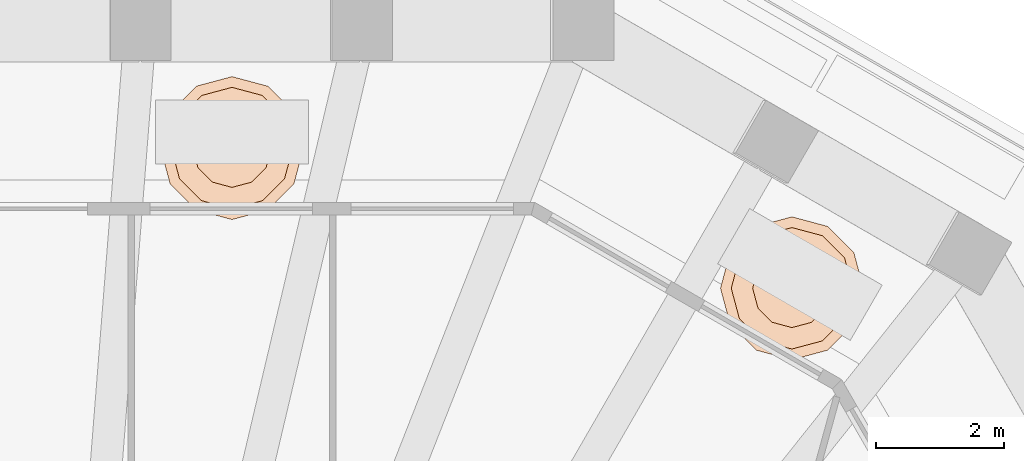
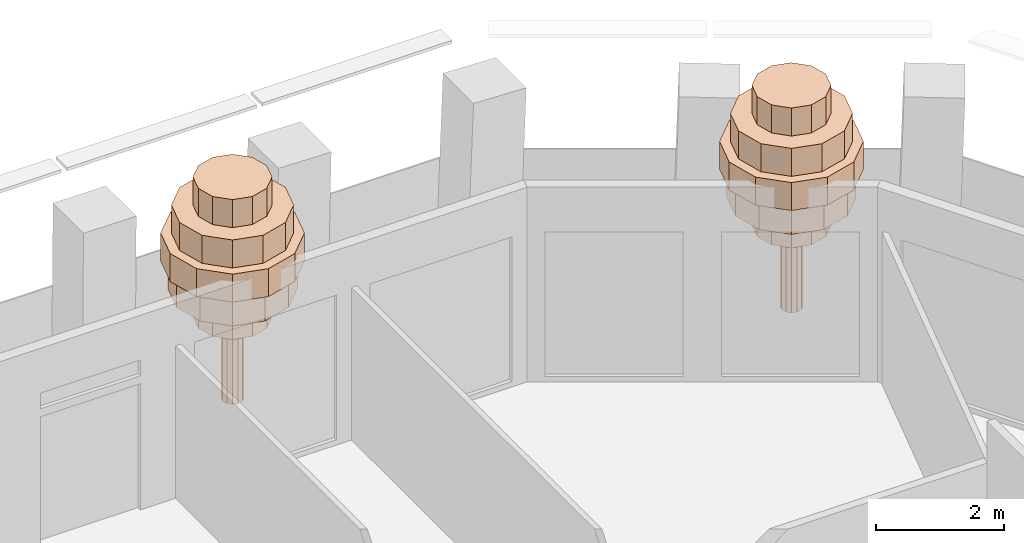
# One storey, part 13 of 13: 2 geographic elements.
"""IFC4 building model written with IfcOpenShell, lengths in metres."""

from ifc_helpers import new_model, si_unit, direction, frame, origin, place, context, subcontext, project, spatial, polyline, outline, extrude, material, type_object, element, save


model = new_model("IFC4")

# Units and contexts
model_context = context("Model", 3, precision=1e-05, world=origin(), true_north=direction((0.0, 1.0)))
body_context = subcontext(model_context, "Body", "Model", "MODEL_VIEW")
ifc_project = project(units=[si_unit("LENGTHUNIT", "METRE"), si_unit("AREAUNIT", "SQUARE_METRE"), si_unit("VOLUMEUNIT", "CUBIC_METRE"), si_unit("PLANEANGLEUNIT", "RADIAN"), si_unit("MASSUNIT", "GRAM", prefix="KILO")], contexts=[model_context])

# Site, building, storey
site_placement = place(None, origin())
site = spatial("IfcSite", under=ifc_project, at=site_placement, CompositionType="ELEMENT")
building_placement = place(site_placement, origin())
building = spatial("IfcBuilding", under=site, at=building_placement, Name="Frailejon Research Tower", CompositionType="ELEMENT")
storey_placement = place(building_placement, frame((0.0, 0.0, 263.0)))
storey = spatial("IfcBuildingStorey", under=building, at=storey_placement, Name="L57", CompositionType="ELEMENT", Elevation=263.0)

# Geographic elements
ifc_material = material(Name="Foliage, green")
geographic_element_type = type_object("IfcGeographicElementType", Name="Frailejon tree, terrace", PredefinedType="USERDEFINED", material=ifc_material)
geographic_element_1_placement = place(storey_placement, frame((11.93994140625, 17.902099609375, 0.699951171875)))
element("IfcGeographicElement", 1, at=geographic_element_1_placement, inside=storey, type_object=geographic_element_type, Name="Tree L57", ObjectType="TREE", PredefinedType="USERDEFINED", context=body_context, shape_type="SweptSolid", body=[
    extrude(outline(polyline([(0.177978515625, 0.0), (0.154052734375, 0.089111328125), (0.089111328125, 0.154052734375), (0.0, 0.177978515625), (-0.089111328125, 0.154052734375), (-0.154052734375, 0.089111328125), (-0.177978515625, 0.0), (-0.154052734375, -0.089111328125), (-0.089111328125, -0.154052734375), (0.0, -0.177978515625), (0.089111328125, -0.154052734375), (0.154052734375, -0.089111328125), (0.177978515625, 0.0)])), origin(), (0.0, 0.0, 1.0), 3.135986328125),
    extrude(outline(polyline([(0.615966796875, 0.0), (0.533447265625, 0.30810546875), (0.30810546875, 0.533447265625), (0.0, 0.615966796875), (-0.30810546875, 0.533447265625), (-0.533447265625, 0.30810546875), (-0.615966796875, 0.0), (-0.533447265625, -0.30810546875), (-0.30810546875, -0.533447265625), (0.0, -0.615966796875), (0.30810546875, -0.533447265625), (0.533447265625, -0.30810546875), (0.615966796875, 0.0)])), frame((0.0, 0.0, 1.5400390625)), (0.0, 0.0, 1.0), 0.531982421875),
    extrude(outline(polyline([(1.008056640625, 0.0), (0.873046875, 0.50390625), (0.50390625, 0.873046875), (0.0, 1.008056640625), (-0.50390625, 0.873046875), (-0.873046875, 0.50390625), (-1.008056640625, 0.0), (-0.873046875, -0.50390625), (-0.50390625, -0.873046875), (0.0, -1.008056640625), (0.50390625, -0.873046875), (0.873046875, -0.50390625), (1.008056640625, 0.0)])), frame((0.0, 0.0, 2.072021484375)), (0.0, 0.0, 1.0), 0.531982421875),
    extrude(outline(polyline([(1.1201171875, 0.0), (0.969970703125, 0.56005859375), (0.56005859375, 0.969970703125), (0.0, 1.1201171875), (-0.56005859375, 0.969970703125), (-0.969970703125, 0.56005859375), (-1.1201171875, 0.0), (-0.969970703125, -0.56005859375), (-0.56005859375, -0.969970703125), (0.0, -1.1201171875), (0.56005859375, -0.969970703125), (0.969970703125, -0.56005859375), (1.1201171875, 0.0)])), frame((0.0, 0.0, 2.60400390625)), (0.0, 0.0, 1.0), 0.531982421875),
    extrude(outline(polyline([(0.951904296875, 0.0), (0.824462890625, 0.47607421875), (0.47607421875, 0.824462890625), (0.0, 0.951904296875), (-0.47607421875, 0.824462890625), (-0.824462890625, 0.47607421875), (-0.951904296875, 0.0), (-0.824462890625, -0.47607421875), (-0.47607421875, -0.824462890625), (0.0, -0.951904296875), (0.47607421875, -0.824462890625), (0.824462890625, -0.47607421875), (0.951904296875, 0.0)])), frame((0.0, 0.0, 3.135986328125)), (0.0, 0.0, 1.0), 0.531982421875),
    extrude(outline(polyline([(0.615966796875, 0.0), (0.533447265625, 0.30810546875), (0.30810546875, 0.533447265625), (0.0, 0.615966796875), (-0.30810546875, 0.533447265625), (-0.533447265625, 0.30810546875), (-0.615966796875, 0.0), (-0.533447265625, -0.30810546875), (-0.30810546875, -0.533447265625), (0.0, -0.615966796875), (0.30810546875, -0.533447265625), (0.533447265625, -0.30810546875), (0.615966796875, 0.0)])), frame((0.0, 0.0, 3.66796875)), (0.0, 0.0, 1.0), 0.531982421875),
])
geographic_element_2_placement = place(storey_placement, frame((3.162353515625, 20.10009765625, 0.699951171875)))
element("IfcGeographicElement", 2, at=geographic_element_2_placement, inside=storey, type_object=geographic_element_type, Name="Tree L57", ObjectType="TREE", PredefinedType="USERDEFINED", context=body_context, shape_type="SweptSolid", body=[
    extrude(outline(polyline([(0.177978515625, 0.0), (0.154052734375, 0.089111328125), (0.089111328125, 0.154052734375), (0.0, 0.177978515625), (-0.089111328125, 0.154052734375), (-0.154052734375, 0.089111328125), (-0.177978515625, 0.0), (-0.154052734375, -0.089111328125), (-0.089111328125, -0.154052734375), (0.0, -0.177978515625), (0.089111328125, -0.154052734375), (0.154052734375, -0.089111328125), (0.177978515625, 0.0)])), origin(), (0.0, 0.0, 1.0), 3.135986328125),
    extrude(outline(polyline([(0.615966796875, 0.0), (0.533447265625, 0.30810546875), (0.30810546875, 0.533447265625), (0.0, 0.615966796875), (-0.30810546875, 0.533447265625), (-0.533447265625, 0.30810546875), (-0.615966796875, 0.0), (-0.533447265625, -0.30810546875), (-0.30810546875, -0.533447265625), (0.0, -0.615966796875), (0.30810546875, -0.533447265625), (0.533447265625, -0.30810546875), (0.615966796875, 0.0)])), frame((0.0, 0.0, 1.5400390625)), (0.0, 0.0, 1.0), 0.531982421875),
    extrude(outline(polyline([(1.008056640625, 0.0), (0.873046875, 0.50390625), (0.50390625, 0.873046875), (0.0, 1.008056640625), (-0.50390625, 0.873046875), (-0.873046875, 0.50390625), (-1.008056640625, 0.0), (-0.873046875, -0.50390625), (-0.50390625, -0.873046875), (0.0, -1.008056640625), (0.50390625, -0.873046875), (0.873046875, -0.50390625), (1.008056640625, 0.0)])), frame((0.0, 0.0, 2.072021484375)), (0.0, 0.0, 1.0), 0.531982421875),
    extrude(outline(polyline([(1.1201171875, 0.0), (0.969970703125, 0.56005859375), (0.56005859375, 0.969970703125), (0.0, 1.1201171875), (-0.56005859375, 0.969970703125), (-0.969970703125, 0.56005859375), (-1.1201171875, 0.0), (-0.969970703125, -0.56005859375), (-0.56005859375, -0.969970703125), (0.0, -1.1201171875), (0.56005859375, -0.969970703125), (0.969970703125, -0.56005859375), (1.1201171875, 0.0)])), frame((0.0, 0.0, 2.60400390625)), (0.0, 0.0, 1.0), 0.531982421875),
    extrude(outline(polyline([(0.951904296875, 0.0), (0.824462890625, 0.47607421875), (0.47607421875, 0.824462890625), (0.0, 0.951904296875), (-0.47607421875, 0.824462890625), (-0.824462890625, 0.47607421875), (-0.951904296875, 0.0), (-0.824462890625, -0.47607421875), (-0.47607421875, -0.824462890625), (0.0, -0.951904296875), (0.47607421875, -0.824462890625), (0.824462890625, -0.47607421875), (0.951904296875, 0.0)])), frame((0.0, 0.0, 3.135986328125)), (0.0, 0.0, 1.0), 0.531982421875),
    extrude(outline(polyline([(0.615966796875, 0.0), (0.533447265625, 0.30810546875), (0.30810546875, 0.533447265625), (0.0, 0.615966796875), (-0.30810546875, 0.533447265625), (-0.533447265625, 0.30810546875), (-0.615966796875, 0.0), (-0.533447265625, -0.30810546875), (-0.30810546875, -0.533447265625), (0.0, -0.615966796875), (0.30810546875, -0.533447265625), (0.533447265625, -0.30810546875), (0.615966796875, 0.0)])), frame((0.0, 0.0, 3.66796875)), (0.0, 0.0, 1.0), 0.531982421875),
])

save(model, "model.ifc")
